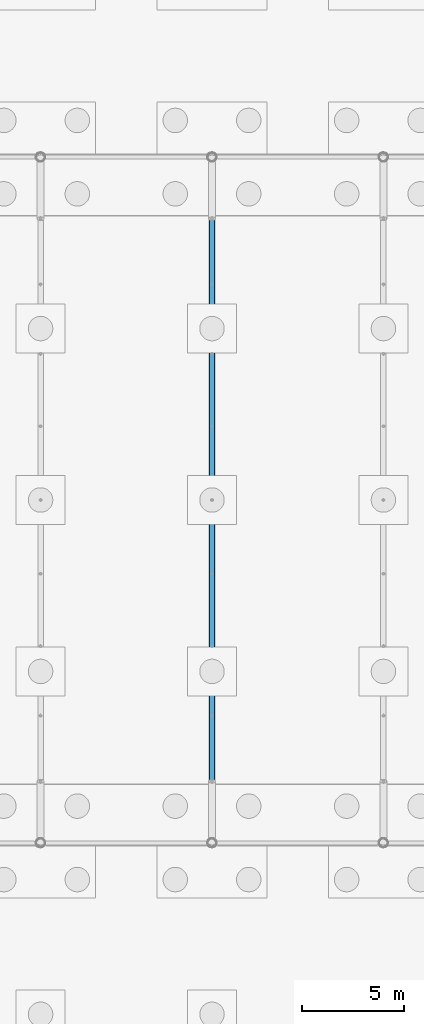
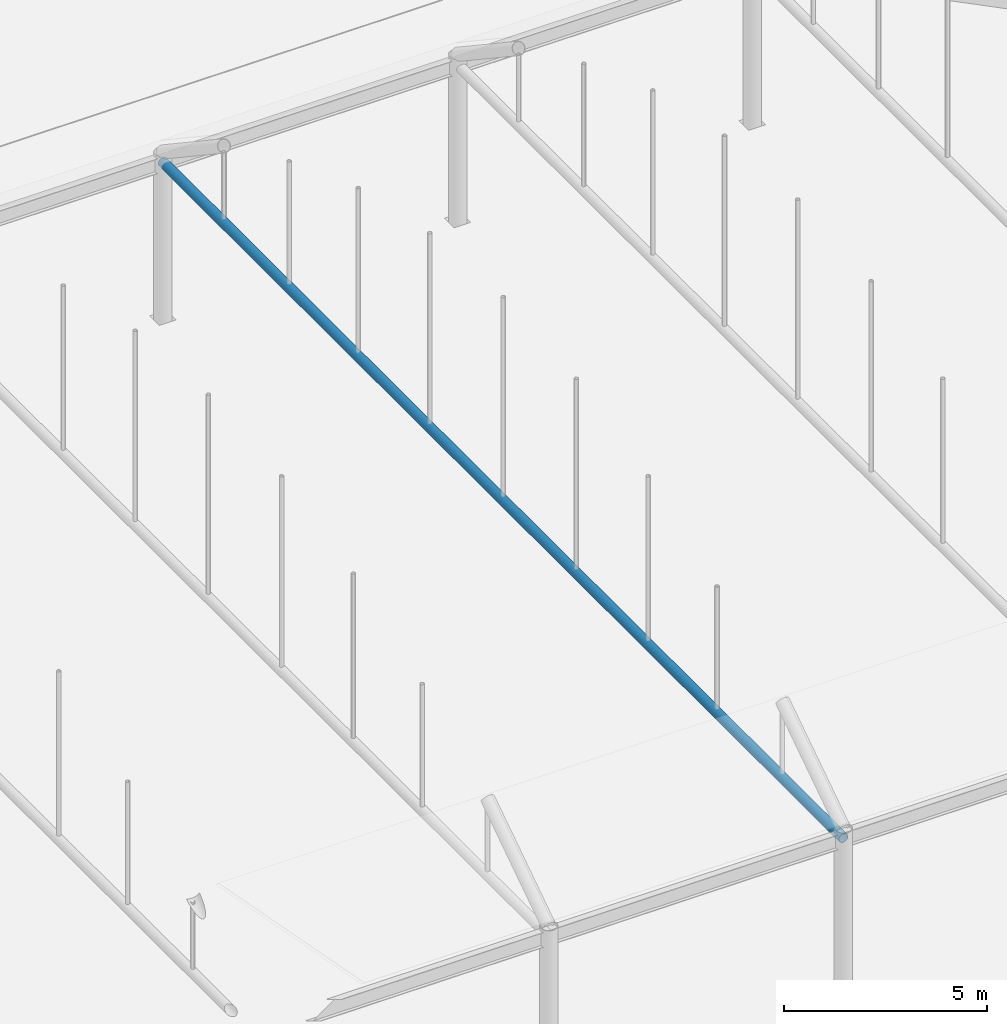
# One storey, part 68 of 212: 1 beam.
"""IFC4 building model written with IfcOpenShell, lengths in metres."""

from ifc_helpers import new_model, si_unit, direction, frame, origin, origin_2d, place, context, subcontext, project, spatial, hollow_circle, extrude, material, material_profile, profile_set, type_object, element, save


model = new_model("IFC4")

# Units and contexts
model_context = context("Model", 3, precision=1e-05, world=origin(), true_north=direction((0.0, 1.0)))
body_context = subcontext(model_context, "Body", "Model", "MODEL_VIEW")
ifc_project = project(units=[si_unit("LENGTHUNIT", "METRE"), si_unit("AREAUNIT", "SQUARE_METRE"), si_unit("VOLUMEUNIT", "CUBIC_METRE"), si_unit("PLANEANGLEUNIT", "RADIAN"), si_unit("MASSUNIT", "GRAM", prefix="KILO")], contexts=[model_context])

# Site, building, storey
site_placement = place(None, origin())
site = spatial("IfcSite", under=ifc_project, at=site_placement, CompositionType="ELEMENT")
building_placement = place(site_placement, origin())
building = spatial("IfcBuilding", under=site, at=building_placement, Name="Catenary Quay Ferry Terminal", CompositionType="ELEMENT")
storey_placement = place(building_placement, origin())
storey = spatial("IfcBuildingStorey", under=building, at=storey_placement, Name="L00", CompositionType="ELEMENT", Elevation=0.0)

# Beam
ifc_material = material(Name="Steel S355", Category="steel")
ifc_material_profile = material_profile(ifc_material, hollow_circle(Radius=0.136474609375, WallThickness=0.012451171875, at=origin_2d()), Name="CHS 273x12.5")
ifc_profile_set = profile_set([ifc_material_profile], Name="Steel S355")
beam_type = type_object("IfcBeamType", Name="TB1 CHS 273x12.5", PredefinedType="BEAM", material=ifc_profile_set)
beam_placement = place(storey_placement, frame((75.60009765625, 16.800048828125, 4.699951171875), z_axis=(0.0, 1.0, 0.0), x_axis=(-1.0, 0.0, 0.0)))
element("IfcBeam", 1, at=beam_placement, inside=storey, type_object=beam_type, Name="tie beam CA-08", PredefinedType="BEAM", context=body_context, shape_type="SweptSolid", body=[
    extrude(hollow_circle(Radius=0.136474609375, WallThickness=0.012451171875, at=origin_2d()), origin(), (0.0, 0.0, 1.0), 33.599853515625),
])

save(model, "model.ifc")
